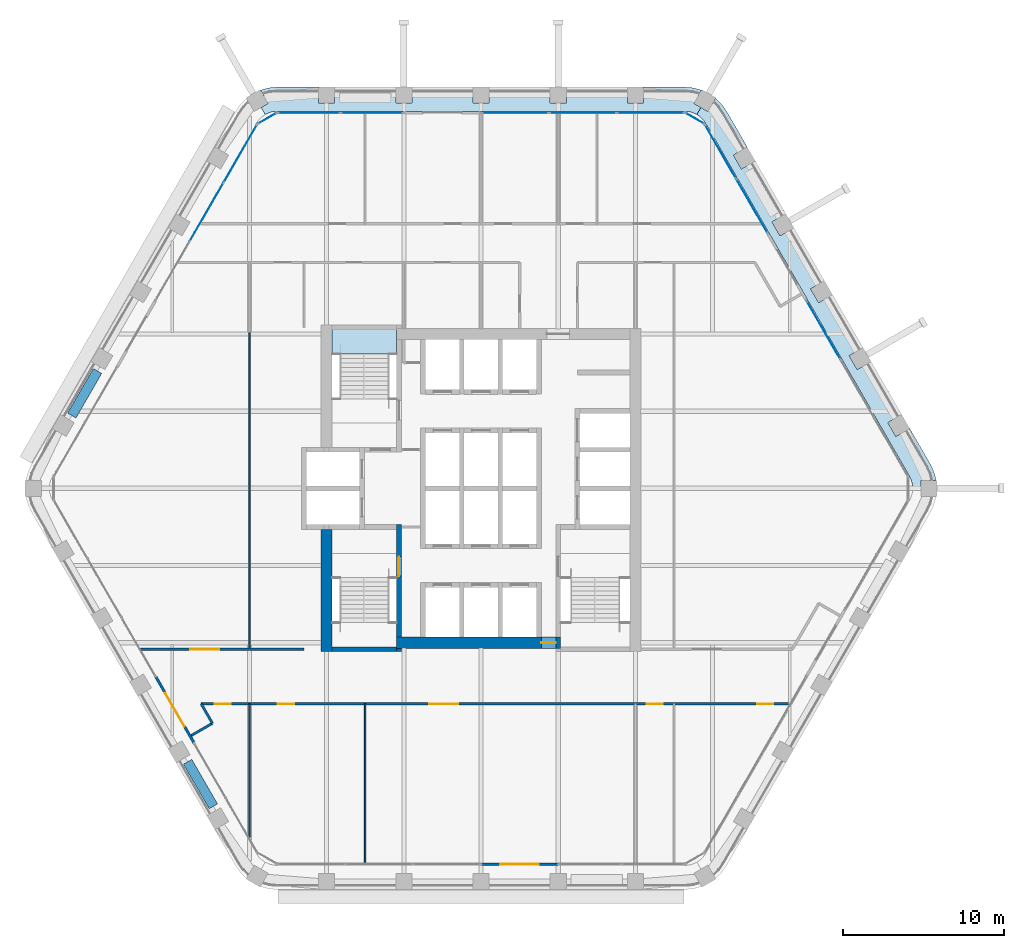
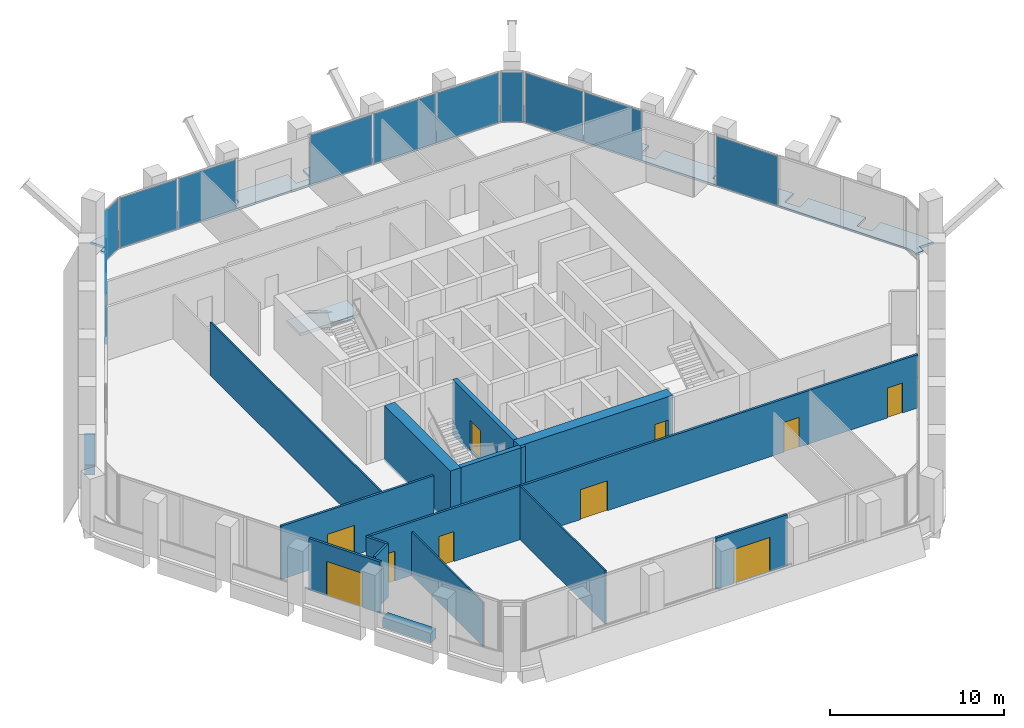
# One storey, part 9 of 16: 16 walls, 12 plates, 10 doors, 3 slabs, 10 openings, 8 elements without a shape of their own.
"""IFC4 building model written with IfcOpenShell, lengths in metres."""

from ifc_helpers import new_model, si_unit, direction, frame, frame_2d, origin, origin_2d, place, context, subcontext, project, spatial, polyline, rectangle, outline, extrude, material, layer, layer_set, type_object, element, fill, aggregate, save


model = new_model("IFC4")

# Units and contexts
model_context = context("Model", 3, precision=1e-05, world=origin(), true_north=direction((0.0, 1.0)))
body_context = subcontext(model_context, "Body", "Model", "MODEL_VIEW")
ifc_project = project(units=[si_unit("LENGTHUNIT", "METRE"), si_unit("AREAUNIT", "SQUARE_METRE"), si_unit("VOLUMEUNIT", "CUBIC_METRE"), si_unit("PLANEANGLEUNIT", "RADIAN"), si_unit("MASSUNIT", "GRAM", prefix="KILO")], contexts=[model_context])

# Site, building, storey
site_placement = place(None, origin())
site = spatial("IfcSite", under=ifc_project, at=site_placement, CompositionType="ELEMENT")
building_placement = place(site_placement, origin())
building = spatial("IfcBuilding", under=site, at=building_placement, Name="Kolab Exchange Tower", CompositionType="ELEMENT")
storey_placement = place(building_placement, frame((0.0, 0.0, 162.199951171875)))
storey = spatial("IfcBuildingStorey", under=building, at=storey_placement, Name="L33", CompositionType="ELEMENT", Elevation=162.199951171875)

# Slabs
ifc_material_1 = material(Name="Concrete C35/45", Category="concrete")
ifc_layer_1 = layer(ifc_material_1, 0.14990234375)
ifc_layer_set_1 = layer_set([ifc_layer_1], Name="Concrete C35/45")
slab_type_1 = type_object("IfcSlabType", Name="LOGGIA SLAB 150", PredefinedType="FLOOR", material=ifc_layer_set_1)
slab_1_placement = place(storey_placement, frame((0.0, 0.0, -0.14990234375)))
element("IfcSlab", 1, at=slab_1_placement, inside=storey, type_object=slab_type_1, Name="slab/L33/loggia/0-0", PredefinedType="FLOOR", context=body_context, shape_type="SweptSolid", body=[
    extrude(outline(polyline([(13.41796875, 23.240478515625), (13.66796875, 23.673583984375), (13.23486328125, 23.923583984375), (13.713134765625, 24.751708984375), (13.694091796875, 24.760498046875), (13.18896484375, 24.89599609375), (12.66796875, 24.941650390625), (10.10009765625, 24.941650390625), (10.10009765625, 23.941650390625), (9.10009765625, 23.941650390625), (9.10009765625, 24.941650390625), (5.300048828125, 24.941650390625), (5.300048828125, 23.941650390625), (4.300048828125, 23.941650390625), (4.300048828125, 24.941650390625), (0.5, 24.941650390625), (0.5, 23.941650390625), (-0.5, 23.941650390625), (-0.5, 24.941650390625), (-4.300048828125, 24.941650390625), (-4.300048828125, 23.941650390625), (-5.300048828125, 23.941650390625), (-5.300048828125, 24.941650390625), (-9.10009765625, 24.941650390625), (-9.10009765625, 23.941650390625), (-10.10009765625, 23.941650390625), (-10.10009765625, 24.941650390625), (-12.66796875, 24.941650390625), (-13.18896484375, 24.89599609375), (-13.694091796875, 24.760498046875), (-13.713134765625, 24.751708984375), (-13.23486328125, 23.923583984375), (-13.66796875, 23.673583984375), (-13.41796875, 23.240478515625), (-13.180908203125, 23.35107421875), (-12.928466796875, 23.418701171875), (-12.66796875, 23.441650390625), (12.66796875, 23.441650390625), (12.928466796875, 23.418701171875), (13.180908203125, 23.35107421875), (13.41796875, 23.240478515625)])), origin(), (0.0, 0.0, 1.0), 0.14990234375),
])
slab_2_placement = place(storey_placement, frame((0.0, 0.0, -0.14990234375)))
element("IfcSlab", 2, at=slab_2_placement, inside=storey, type_object=slab_type_1, Name="slab/L33/loggia/1-0", PredefinedType="FLOOR", context=body_context, shape_type="SweptSolid", body=[
    extrude(outline(polyline([(26.8359375, 0.0), (27.3359375, 0.0), (27.3359375, 0.5), (28.292236328125, 0.5), (28.290283203125, 0.52099609375), (28.155029296875, 1.026123046875), (27.93408203125, 1.5), (26.64990234375, 3.723876953125), (25.783935546875, 3.223876953125), (25.283935546875, 4.08984375), (26.14990234375, 4.58984375), (24.25, 7.880859375), (23.384033203125, 7.380859375), (22.884033203125, 8.246826171875), (23.75, 8.746826171875), (21.85009765625, 12.037841796875), (20.98388671875, 11.537841796875), (20.48388671875, 12.40380859375), (21.35009765625, 12.90380859375), (19.449951171875, 16.194580078125), (18.583984375, 15.694580078125), (18.083984375, 16.560791015625), (18.949951171875, 17.060791015625), (17.050048828125, 20.3515625), (16.18408203125, 19.8515625), (15.68408203125, 20.717529296875), (16.550048828125, 21.217529296875), (15.26611328125, 23.441650390625), (14.966064453125, 23.869873046875), (14.59619140625, 24.23974609375), (14.5791015625, 24.251708984375), (14.10107421875, 23.423583984375), (13.66796875, 23.673583984375), (13.41796875, 23.240478515625), (13.632080078125, 23.090576171875), (13.81689453125, 22.90576171875), (13.967041015625, 22.691650390625), (26.635009765625, 0.75), (26.745361328125, 0.512939453125), (26.81298828125, 0.260498046875), (26.8359375, 0.0)])), origin(), (0.0, 0.0, 1.0), 0.14990234375),
])

# Stair, slab
ifc_material_2 = material(Name="Concrete C50/60", Category="concrete")
stair_type = type_object("IfcStairType", Name="STAIR ST1 RISER 177.3", PredefinedType="HALF_TURN_STAIR", material=ifc_material_2)
stair_placement = place(storey_placement, origin())
stair = element("IfcStair", 3, at=stair_placement, inside=storey, type_object=stair_type, Name="Stair 1", PredefinedType="HALF_TURN_STAIR")
ifc_layer_2 = layer(ifc_material_2, 0.199951171875)
ifc_layer_set_2 = layer_set([ifc_layer_2], Name="Concrete C50/60")
slab_type_2 = type_object("IfcSlabType", Name="STAIR LANDING 200", PredefinedType="LANDING", material=ifc_layer_set_2)
slab_3_placement = place(storey_placement, frame((0.0, 0.0, 1.75)))
slab_3 = element("IfcSlab", 4, at=slab_3_placement, type_object=slab_type_2, Name="ST1 landing 2", PredefinedType="LANDING", context=body_context, shape_type="SweptSolid", body=[
    extrude(outline(polyline([(-9.25, 8.35009765625), (-5.25, 8.35009765625), (-5.25, 9.909912109375), (-9.25, 9.909912109375), (-9.25, 8.35009765625)])), origin(), (0.0, 0.0, 1.0), 0.199951171875),
])
aggregate(stair, [slab_3])

# Curtain wall, plates
ifc_material_3 = material(Name="Aluminium EN AW-6063 T6", Category="aluminium")
curtain_wall_type = type_object("IfcCurtainWallType", Name="UNITISED UPPER MID ZONE CURTAIN WALL", PredefinedType="NOTDEFINED", material=ifc_material_3)
curtain_wall_1_placement = place(storey_placement, origin())
curtain_wall_1 = element("IfcCurtainWall", 5, at=curtain_wall_1_placement, inside=storey, type_object=curtain_wall_type, Name="cw/L33/F1-1", PredefinedType="NOTDEFINED")
ifc_material_4 = material(Name="Clear insulated glazing unit", Category="glass")
ifc_layer_3 = layer(ifc_material_4, 0.028076171875)
ifc_layer_set_3 = layer_set([ifc_layer_3], Name="Clear insulated glazing unit")
plate_type = type_object("IfcPlateType", Name="UNITISED UPPER MID ZONE GLASS PANEL 28", PredefinedType="CURTAIN_PANEL", material=ifc_layer_set_3)
plate_1_placement = place(storey_placement, frame((-10.68603515625, 23.361572265625, 0.06005859375), z_axis=(0.0, 0.0, 1.0), x_axis=(1.0, 0.0, 0.0)))
plate_1 = element("IfcPlate", 6, at=plate_1_placement, type_object=plate_type, Name="CW3 panel 1.1", PredefinedType="CURTAIN_PANEL", context=body_context, shape_type="SweptSolid", body=[
    extrude(rectangle(XDim=3.843994140625, YDim=0.028076171875, at=origin_2d()), origin(), (0.0, 0.0, 1.0), 3.47998046875),
])
plate_2_placement = place(storey_placement, frame((-6.781982421875, 23.361572265625, 0.06005859375), z_axis=(0.0, 0.0, 1.0), x_axis=(1.0, 0.0, 0.0)))
plate_2 = element("IfcPlate", 7, at=plate_2_placement, type_object=plate_type, Name="CW3 panel 2.1", PredefinedType="CURTAIN_PANEL", context=body_context, shape_type="SweptSolid", body=[
    extrude(rectangle(XDim=3.843994140625, YDim=0.028076171875, at=origin_2d()), origin(), (0.0, 0.0, 1.0), 3.47998046875),
])
aggregate(curtain_wall_1, [plate_1, plate_2])

curtain_wall_2_placement = place(storey_placement, origin())
curtain_wall_2 = element("IfcCurtainWall", 8, at=curtain_wall_2_placement, inside=storey, type_object=curtain_wall_type, Name="cw/L33/F1-2", PredefinedType="NOTDEFINED")
plate_3_placement = place(storey_placement, frame((2.126220703125, 23.361572265625, 0.06005859375), z_axis=(0.0, 0.0, 1.0), x_axis=(1.0, 0.0, 0.0)))
plate_3 = element("IfcPlate", 9, at=plate_3_placement, type_object=plate_type, Name="CW3 panel 1.1", PredefinedType="CURTAIN_PANEL", context=body_context, shape_type="SweptSolid", body=[
    extrude(rectangle(XDim=4.132568359375, YDim=0.028076171875, at=origin_2d()), origin(), (0.0, 0.0, 1.0), 3.47998046875),
])
plate_4_placement = place(storey_placement, frame((6.333984375, 23.361572265625, 0.06005859375), z_axis=(0.0, 0.0, 1.0), x_axis=(1.0, 0.0, 0.0)))
plate_4 = element("IfcPlate", 10, at=plate_4_placement, type_object=plate_type, Name="CW3 panel 2.1", PredefinedType="CURTAIN_PANEL", context=body_context, shape_type="SweptSolid", body=[
    extrude(rectangle(XDim=4.16259765625, YDim=0.028076171875, at=origin_2d()), origin(), (0.0, 0.0, 1.0), 3.47998046875),
])
plate_5_placement = place(storey_placement, frame((10.54150390625, 23.361572265625, 0.06005859375), z_axis=(0.0, 0.0, 1.0), x_axis=(1.0, 0.0, 0.0)))
plate_5 = element("IfcPlate", 11, at=plate_5_placement, type_object=plate_type, Name="CW3 panel 3.1", PredefinedType="CURTAIN_PANEL", context=body_context, shape_type="SweptSolid", body=[
    extrude(rectangle(XDim=4.132568359375, YDim=0.028076171875, at=origin_2d()), origin(), (0.0, 0.0, 1.0), 3.47998046875),
])
aggregate(curtain_wall_2, [plate_3, plate_4, plate_5])

curtain_wall_3_placement = place(storey_placement, origin())
curtain_wall_3 = element("IfcCurtainWall", 12, at=curtain_wall_3_placement, inside=storey, type_object=curtain_wall_type, Name="cw/L33/F2-1", PredefinedType="NOTDEFINED")
plate_6_placement = place(storey_placement, frame((14.888671875, 20.93505859375, 0.06005859375), z_axis=(0.0, 0.0, 1.0), x_axis=(0.500000031681, -0.866025385493, 0.0)))
plate_6 = element("IfcPlate", 13, at=plate_6_placement, type_object=plate_type, Name="CW3 panel 1.1", PredefinedType="CURTAIN_PANEL", context=body_context, shape_type="SweptSolid", body=[
    extrude(rectangle(XDim=3.843994140625, YDim=0.028076171875, at=origin_2d()), origin(), (0.0, 0.0, 1.0), 3.47998046875),
])
plate_7_placement = place(storey_placement, frame((16.840576171875, 17.55419921875, 0.06005859375), z_axis=(0.0, 0.0, 1.0), x_axis=(0.500000031681, -0.866025385493, 0.0)))
plate_7 = element("IfcPlate", 14, at=plate_7_placement, type_object=plate_type, Name="CW3 panel 2.1", PredefinedType="CURTAIN_PANEL", context=body_context, shape_type="SweptSolid", body=[
    extrude(rectangle(XDim=3.843994140625, YDim=0.028076171875, at=origin_2d()), origin(), (0.0, 0.0, 1.0), 3.47998046875),
])
aggregate(curtain_wall_3, [plate_6, plate_7])

# Curtain wall, plate
curtain_wall_4_placement = place(storey_placement, origin())
curtain_wall_4 = element("IfcCurtainWall", 15, at=curtain_wall_4_placement, inside=storey, type_object=curtain_wall_type, Name="cw/L33/F2-2", PredefinedType="NOTDEFINED")
plate_8_placement = place(storey_placement, frame((21.294921875, 9.83935546875, 0.06005859375), z_axis=(0.0, 0.0, 1.0), x_axis=(0.499999958358, -0.866025427826, 0.0)))
plate_8 = element("IfcPlate", 16, at=plate_8_placement, type_object=plate_type, Name="CW3 panel 1.1", PredefinedType="CURTAIN_PANEL", context=body_context, shape_type="SweptSolid", body=[
    extrude(rectangle(XDim=4.132568359375, YDim=0.028076171875, at=origin_2d()), origin(), (0.0, 0.0, 1.0), 3.47998046875),
])
aggregate(curtain_wall_4, [plate_8])

# Curtain wall, plates
curtain_wall_5_placement = place(storey_placement, origin())
curtain_wall_5 = element("IfcCurtainWall", 17, at=curtain_wall_5_placement, inside=storey, type_object=curtain_wall_type, Name="cw/L33/F6-2", PredefinedType="NOTDEFINED")
plate_9_placement = place(storey_placement, frame((-17.064697265625, 17.166259765625, 0.06005859375), z_axis=(0.0, 0.0, 1.0), x_axis=(0.500000017564, 0.866025393644, 0.0)))
plate_9 = element("IfcPlate", 18, at=plate_9_placement, type_object=plate_type, Name="CW3 panel 2.1", PredefinedType="CURTAIN_PANEL", context=body_context, shape_type="SweptSolid", body=[
    extrude(rectangle(XDim=4.16259765625, YDim=0.028076171875, at=origin_2d()), origin(), (0.0, 0.0, 1.0), 3.47998046875),
])
plate_10_placement = place(storey_placement, frame((-14.9609375, 20.81005859375, 0.06005859375), z_axis=(0.0, 0.0, 1.0), x_axis=(0.500000017564, 0.866025393644, 0.0)))
plate_10 = element("IfcPlate", 19, at=plate_10_placement, type_object=plate_type, Name="CW3 panel 3.1", PredefinedType="CURTAIN_PANEL", context=body_context, shape_type="SweptSolid", body=[
    extrude(rectangle(XDim=4.132568359375, YDim=0.028076171875, at=origin_2d()), origin(), (0.0, 0.0, 1.0), 3.47998046875),
])
aggregate(curtain_wall_5, [plate_9, plate_10])

# Curtain wall, plate
curtain_wall_6_placement = place(storey_placement, origin())
curtain_wall_6 = element("IfcCurtainWall", 20, at=curtain_wall_6_placement, inside=storey, type_object=curtain_wall_type, Name="cw/L33/F1F2-corner", PredefinedType="NOTDEFINED")
plate_11_placement = place(storey_placement, frame((13.28271484375, 23.006591796875, 0.06005859375), z_axis=(0.0, 0.0, 1.0), x_axis=(0.866025390869, -0.50000002237, 0.0)))
plate_11 = element("IfcPlate", 21, at=plate_11_placement, type_object=plate_type, Name="CW3 panel 1.1", PredefinedType="CURTAIN_PANEL", context=body_context, shape_type="SweptSolid", body=[
    extrude(rectangle(XDim=1.300048828125, YDim=0.028076171875, at=origin_2d()), origin(), (0.0, 0.0, 1.0), 3.47998046875),
])
aggregate(curtain_wall_6, [plate_11])

curtain_wall_7_placement = place(storey_placement, origin())
curtain_wall_7 = element("IfcCurtainWall", 22, at=curtain_wall_7_placement, inside=storey, type_object=curtain_wall_type, Name="cw/L33/F6F1-corner", PredefinedType="NOTDEFINED")
plate_12_placement = place(storey_placement, frame((-13.28271484375, 23.006591796875, 0.06005859375), z_axis=(0.0, 0.0, 1.0), x_axis=(0.866025390869, 0.50000002237, 0.0)))
plate_12 = element("IfcPlate", 23, at=plate_12_placement, type_object=plate_type, Name="CW3 panel 1.1", PredefinedType="CURTAIN_PANEL", context=body_context, shape_type="SweptSolid", body=[
    extrude(rectangle(XDim=1.300048828125, YDim=0.028076171875, at=origin_2d()), origin(), (0.0, 0.0, 1.0), 3.47998046875),
])
aggregate(curtain_wall_7, [plate_12])

# Wall, opening, door
ifc_material_5 = material(Name="Concrete C60/75", Category="concrete")
ifc_layer_4 = layer(ifc_material_5, 0.699951171875)
ifc_layer_set_4 = layer_set([ifc_layer_4], Name="Concrete C60/75")
wall_type_1 = type_object("IfcWallType", Name="CORE WALL 700 C60/75", PredefinedType="SHEAR", material=ifc_layer_set_4)
wall_1_placement = place(storey_placement, frame((-5.25, -9.60009765625, -0.14990234375), z_axis=(0.0, 0.0, 1.0), x_axis=(1.0, 0.0, 0.0)))
wall_1 = element("IfcWall", 24, at=wall_1_placement, inside=storey, type_object=wall_type_1, Name="wall/L33/core/002", PredefinedType="SHEAR", context=body_context, shape_type="SweptSolid", body=[
    extrude(rectangle(XDim=10.199951171875, YDim=0.699951171875, at=frame_2d((5.10009765625, 0.0))), origin(), (0.0, 0.0, 1.0), 3.89990234375),
])
opening_1_placement = place(wall_1_placement, frame((9.0, 0.0, 0.14990234375)))
opening_1 = element("IfcOpeningElement", 25, at=opening_1_placement, cuts=wall_1, Name="Opening D6-287", PredefinedType="OPENING", context=body_context, shape_type="SweptSolid", body=[
    extrude(rectangle(XDim=0.89990234375, YDim=2.10009765625, at=frame_2d((0.449951171875, 1.050048828125))), frame((0.0, 0.35986328125, 0.0), z_axis=(0.0, -1.0, 0.0), x_axis=(1.0, 0.0, 0.0)), (0.0, 0.0, 1.0), 0.719970703125),
])
ifc_material_6 = material(Name="Steel S235", Category="steel")
door_type_1 = type_object("IfcDoorType", Name="CORE DOOR 900 EI 120", OperationType="SINGLE_SWING_LEFT", PredefinedType="DOOR", material=ifc_material_6)
door_1_placement = place(opening_1_placement, origin())
door_1 = element("IfcDoor", 26, at=door_1_placement, inside=storey, type_object=door_type_1, Name="Core lobby door", OperationType="SINGLE_SWING_LEFT", OverallHeight=2.10009765625, OverallWidth=0.89990234375, PredefinedType="DOOR", context=body_context, shape_type="SweptSolid", body=[
    extrude(rectangle(XDim=0.89990234375, YDim=2.10009765625, at=frame_2d((0.449951171875, 1.050048828125))), frame((0.0, 0.02490234375, 0.0), z_axis=(0.0, -1.0, 0.0), x_axis=(1.0, 0.0, 0.0)), (0.0, 0.0, 1.0), 0.050048828125),
])
fill(opening_1, door_1)

# Wall
wall_2_placement = place(storey_placement, frame((-9.60009765625, -10.14990234375, -0.14990234375), z_axis=(0.0, 0.0, 1.0), x_axis=(0.0, 1.0, 0.0)))
element("IfcWall", 27, at=wall_2_placement, inside=storey, type_object=wall_type_1, Name="wall/L33/core/034", PredefinedType="SHEAR", context=body_context, shape_type="SweptSolid", body=[
    extrude(rectangle(XDim=7.599853515625, YDim=0.699951171875, at=frame_2d((3.7998046875, 0.0))), origin(), (0.0, 0.0, 1.0), 3.89990234375),
])

# Wall, opening, door
ifc_layer_5 = layer(ifc_material_3, 0.159912109375)
ifc_layer_set_5 = layer_set([ifc_layer_5], Name="Aluminium EN AW-6063 T6")
wall_type_2 = type_object("IfcWallType", Name="DOOR SURROUND WALL 160 ALUMINIUM FRAMED", PredefinedType="PARTITIONING", material=ifc_layer_set_5)
wall_3_placement = place(storey_placement, frame((4.77001953125, -23.361572265625, 0.0), z_axis=(0.0, 0.0, 1.0), x_axis=(-1.0, 0.0, 0.0)))
wall_3 = element("IfcWall", 28, at=wall_3_placement, inside=storey, type_object=wall_type_2, Name="Door surround wall", PredefinedType="PARTITIONING", context=body_context, shape_type="SweptSolid", body=[
    extrude(rectangle(XDim=4.739990234375, YDim=0.159912109375, at=frame_2d((2.3701171875, 0.0))), origin(), (0.0, 0.0, 1.0), 3.60009765625),
])
opening_2_placement = place(wall_3_placement, frame((1.169921875, 0.0, 0.0)))
opening_2 = element("IfcOpeningElement", 29, at=opening_2_placement, cuts=wall_3, Name="Opening GD1-073", PredefinedType="OPENING", context=body_context, shape_type="SweptSolid", body=[
    extrude(rectangle(XDim=2.39990234375, YDim=2.39990234375, at=frame_2d((1.199951171875, 1.199951171875))), frame((0.0, 0.08984375, 0.0), z_axis=(0.0, -1.0, 0.0), x_axis=(1.0, 0.0, 0.0)), (0.0, 0.0, 1.0), 0.179931640625),
])
door_type_2 = type_object("IfcDoorType", Name="LOGGIA SLIDING GLASS DOOR 2400 X 2400", OperationType="DOUBLE_DOOR_SINGLE_SWING", PredefinedType="DOOR", material=ifc_material_3)
door_2_placement = place(opening_2_placement, origin())
door_2 = element("IfcDoor", 30, at=door_2_placement, inside=storey, type_object=door_type_2, Name="Loggia door", OperationType="DOUBLE_DOOR_SLIDING", OverallHeight=2.39990234375, OverallWidth=2.39990234375, PredefinedType="DOOR", context=body_context, shape_type="SweptSolid", body=[
    extrude(rectangle(XDim=2.39990234375, YDim=2.39990234375, at=frame_2d((1.199951171875, 1.199951171875))), frame((0.0, 0.02490234375, 0.0), z_axis=(0.0, -1.0, 0.0), x_axis=(1.0, 0.0, 0.0)), (0.0, 0.0, 1.0), 0.050048828125),
])
fill(opening_2, door_2)

wall_4_placement = place(storey_placement, frame((-17.8466796875, -15.811767578125, 0.0), z_axis=(0.0, 0.0, 1.0), x_axis=(-0.5000167099, 0.866015756104, 0.0)))
wall_4 = element("IfcWall", 31, at=wall_4_placement, inside=storey, type_object=wall_type_2, Name="Door surround wall", PredefinedType="PARTITIONING", context=body_context, shape_type="SweptSolid", body=[
    extrude(rectangle(XDim=4.739990234375, YDim=0.159912109375, at=frame_2d((2.3701171875, 0.0))), origin(), (0.0, 0.0, 1.0), 3.60009765625),
])
opening_3_placement = place(wall_4_placement, frame((1.169921875, 0.0, 0.0)))
opening_3 = element("IfcOpeningElement", 32, at=opening_3_placement, cuts=wall_4, Name="Opening GD1-074", PredefinedType="OPENING", context=body_context, shape_type="SweptSolid", body=[
    extrude(rectangle(XDim=2.39990234375, YDim=2.39990234375, at=frame_2d((1.199951171875, 1.199951171875))), frame((0.0, 0.08984375, 0.0), z_axis=(0.0, -1.0, 0.0), x_axis=(1.0, 0.0, 0.0)), (0.0, 0.0, 1.0), 0.179931640625),
])
door_3_placement = place(opening_3_placement, origin())
door_3 = element("IfcDoor", 33, at=door_3_placement, inside=storey, type_object=door_type_2, Name="Loggia door", OperationType="DOUBLE_DOOR_SLIDING", OverallHeight=2.39990234375, OverallWidth=2.39990234375, PredefinedType="DOOR", context=body_context, shape_type="SweptSolid", body=[
    extrude(rectangle(XDim=2.39990234375, YDim=2.39990234375, at=frame_2d((1.199951171875, 1.199951171875))), frame((0.0, 0.02490234375, 0.0), z_axis=(0.0, -1.0, 0.0), x_axis=(1.0, 0.0, 0.0)), (0.0, 0.0, 1.0), 0.050048828125),
])
fill(opening_3, door_3)

# Walls
ifc_material_7 = material(Name="Gypsum board", Category="gypsum")
ifc_layer_6 = layer(ifc_material_7, 0.10009765625)
ifc_layer_set_6 = layer_set([ifc_layer_6], Name="Gypsum board")
wall_type_3 = type_object("IfcWallType", Name="PARTITION 100", PredefinedType="PARTITIONING", material=ifc_layer_set_6)
wall_5_placement = place(storey_placement, frame((-7.199951171875, -23.271484375, 0.0), z_axis=(0.0, 0.0, 1.0), x_axis=(0.0, 1.0, 0.0)))
element("IfcWall", 34, at=wall_5_placement, inside=storey, type_object=wall_type_3, Name="Partition 012", PredefinedType="PARTITIONING", context=body_context, shape_type="SweptSolid", body=[
    extrude(rectangle(XDim=9.87158203125, YDim=0.10009765625, at=frame_2d((4.935791015625, 0.0))), origin(), (0.0, 0.0, 1.0), 3.75),
])
wall_6_placement = place(storey_placement, frame((-14.39990234375, -21.701416015625, 0.0), z_axis=(0.0, 0.0, 1.0), x_axis=(0.0, 1.0, 0.0)))
element("IfcWall", 35, at=wall_6_placement, inside=storey, type_object=wall_type_3, Name="Partition 015", PredefinedType="PARTITIONING", context=body_context, shape_type="SweptSolid", body=[
    extrude(rectangle(XDim=8.301513671875, YDim=0.10009765625, at=frame_2d((4.15087890625, 0.0))), origin(), (0.0, 0.0, 1.0), 3.066162109375),
])
wall_7_placement = place(storey_placement, frame((-14.39990234375, -10.0, 0.0), z_axis=(0.0, 0.0, 1.0), x_axis=(0.0, 1.0, 0.0)))
element("IfcWall", 36, at=wall_7_placement, inside=storey, type_object=wall_type_3, Name="Partition 016", PredefinedType="PARTITIONING", context=body_context, shape_type="SweptSolid", body=[
    extrude(rectangle(XDim=19.693603515625, YDim=0.10009765625, at=frame_2d((9.8466796875, 0.0))), origin(), (0.0, 0.0, 1.0), 3.75),
])
ifc_layer_7 = layer(ifc_material_7, 0.14990234375)
ifc_layer_set_7 = layer_set([ifc_layer_7], Name="Gypsum board")
wall_type_4 = type_object("IfcWallType", Name="PARTITION 150 FIRE-RATED", PredefinedType="PARTITIONING", material=ifc_layer_set_7)
wall_8_placement = place(storey_placement, frame((-17.3916015625, -13.39990234375, 0.0), z_axis=(0.0, 0.0, 1.0), x_axis=(0.4999705729, -0.866042392862, 0.0)))
element("IfcWall", 37, at=wall_8_placement, inside=storey, type_object=wall_type_4, Name="Partition 017", PredefinedType="PARTITIONING", context=body_context, shape_type="SweptSolid", body=[
    extrude(rectangle(XDim=1.39111328125, YDim=0.14990234375, at=frame_2d((0.695556640625, 0.0))), origin(), (0.0, 0.0, 1.0), 3.75),
])
wall_9_placement = place(storey_placement, frame((-18.012451171875, -15.36474609375, 0.0), z_axis=(0.0, 0.0, 1.0), x_axis=(0.866030456496, 0.499991248344, 0.0)))
element("IfcWall", 38, at=wall_9_placement, inside=storey, type_object=wall_type_4, Name="Partition 021", PredefinedType="PARTITIONING", context=body_context, shape_type="SweptSolid", body=[
    extrude(rectangle(XDim=1.52001953125, YDim=0.14990234375, at=frame_2d((0.760009765625, 0.0))), origin(), (0.0, 0.0, 1.0), 3.75),
])

# Wall, openings, doors
wall_10_placement = place(storey_placement, frame((-17.3916015625, -13.39990234375, 0.0), z_axis=(0.0, 0.0, 1.0), x_axis=(1.0, 0.0, 0.0)))
wall_10 = element("IfcWall", 39, at=wall_10_placement, inside=storey, type_object=wall_type_4, Name="Partition 023", PredefinedType="PARTITIONING", context=body_context, shape_type="SweptSolid", body=[
    extrude(rectangle(XDim=36.58447265625, YDim=0.14990234375, at=frame_2d((18.292236328125, 0.0))), origin(), (0.0, 0.0, 1.0), 3.75),
])
opening_4_placement = place(wall_10_placement, frame((0.83203125, 0.0, 0.0)))
opening_4 = element("IfcOpeningElement", 40, at=opening_4_placement, cuts=wall_10, Name="Opening D1-453", PredefinedType="OPENING", context=body_context, shape_type="SweptSolid", body=[
    extrude(rectangle(XDim=1.0, YDim=2.10009765625, at=frame_2d((0.5, 1.050048828125))), frame((0.0, 0.0849609375, 0.0), z_axis=(0.0, -1.0, 0.0), x_axis=(1.0, 0.0, 0.0)), (0.0, 0.0, 1.0), 0.169921875),
])
opening_5_placement = place(wall_10_placement, frame((4.7666015625, 0.0, 0.0)))
opening_5 = element("IfcOpeningElement", 41, at=opening_5_placement, cuts=wall_10, Name="Opening D1-454", PredefinedType="OPENING", context=body_context, shape_type="SweptSolid", body=[
    extrude(rectangle(XDim=1.0, YDim=2.10009765625, at=frame_2d((0.5, 1.050048828125))), frame((0.0, 0.0849609375, 0.0), z_axis=(0.0, -1.0, 0.0), x_axis=(1.0, 0.0, 0.0)), (0.0, 0.0, 1.0), 0.169921875),
])
opening_6_placement = place(wall_10_placement, frame((14.16650390625, 0.0, 0.0)))
opening_6 = element("IfcOpeningElement", 42, at=opening_6_placement, cuts=wall_10, Name="Opening D2-045", PredefinedType="OPENING", context=body_context, shape_type="SweptSolid", body=[
    extrude(rectangle(XDim=1.800048828125, YDim=2.10009765625, at=frame_2d((0.89990234375, 1.050048828125))), frame((0.0, 0.0849609375, 0.0), z_axis=(0.0, -1.0, 0.0), x_axis=(1.0, 0.0, 0.0)), (0.0, 0.0, 1.0), 0.169921875),
])
opening_7_placement = place(wall_10_placement, frame((27.691650390625, 0.0, 0.0)))
opening_7 = element("IfcOpeningElement", 43, at=opening_7_placement, cuts=wall_10, Name="Opening D1-455", PredefinedType="OPENING", context=body_context, shape_type="SweptSolid", body=[
    extrude(rectangle(XDim=1.0, YDim=2.10009765625, at=frame_2d((0.5, 1.050048828125))), frame((0.0, 0.0849609375, 0.0), z_axis=(0.0, -1.0, 0.0), x_axis=(1.0, 0.0, 0.0)), (0.0, 0.0, 1.0), 0.169921875),
])
opening_8_placement = place(wall_10_placement, frame((34.563232421875, 0.0, 0.0)))
opening_8 = element("IfcOpeningElement", 44, at=opening_8_placement, cuts=wall_10, Name="Opening D1-456", PredefinedType="OPENING", context=body_context, shape_type="SweptSolid", body=[
    extrude(rectangle(XDim=1.0, YDim=2.10009765625, at=frame_2d((0.5, 1.050048828125))), frame((0.0, 0.0849609375, 0.0), z_axis=(0.0, -1.0, 0.0), x_axis=(1.0, 0.0, 0.0)), (0.0, 0.0, 1.0), 0.169921875),
])
door_type_3 = type_object("IfcDoorType", Name="DOUBLE DOOR 1800 FD60", OperationType="DOUBLE_DOOR_SINGLE_SWING", PredefinedType="DOOR", material=ifc_material_6)
door_4_placement = place(opening_6_placement, frame((1.800048828125, 0.0, 0.0), z_axis=(0.0, 0.0, 1.0), x_axis=(-1.0, 0.0, 0.0)))
door_4 = element("IfcDoor", 45, at=door_4_placement, inside=storey, type_object=door_type_3, Name="Door L33-040", OperationType="SINGLE_SWING_LEFT", OverallHeight=2.10009765625, OverallWidth=1.800048828125, PredefinedType="DOOR", context=body_context, shape_type="SweptSolid", body=[
    extrude(rectangle(XDim=1.800048828125, YDim=2.10009765625, at=frame_2d((0.89990234375, 1.050048828125))), frame((0.0, 0.02490234375, 0.0), z_axis=(0.0, -1.0, 0.0), x_axis=(1.0, 0.0, 0.0)), (0.0, 0.0, 1.0), 0.050048828125),
])
fill(opening_6, door_4)
door_type_4 = type_object("IfcDoorType", Name="FLUSH DOOR 1000 FD60", OperationType="SINGLE_SWING_LEFT", PredefinedType="DOOR", material=ifc_material_6)
door_5_placement = place(opening_4_placement, frame((1.0, 0.0, 0.0), z_axis=(0.0, 0.0, 1.0), x_axis=(-1.0, 0.0, 0.0)))
door_5 = element("IfcDoor", 46, at=door_5_placement, inside=storey, type_object=door_type_4, Name="Door L33-038", OperationType="SINGLE_SWING_LEFT", OverallHeight=2.10009765625, OverallWidth=1.0, PredefinedType="DOOR", context=body_context, shape_type="SweptSolid", body=[
    extrude(rectangle(XDim=1.0, YDim=2.10009765625, at=frame_2d((0.5, 1.050048828125))), frame((0.0, 0.02490234375, 0.0), z_axis=(0.0, -1.0, 0.0), x_axis=(1.0, 0.0, 0.0)), (0.0, 0.0, 1.0), 0.050048828125),
])
fill(opening_4, door_5)
door_6_placement = place(opening_5_placement, frame((1.0, 0.0, 0.0), z_axis=(0.0, 0.0, 1.0), x_axis=(-1.0, 0.0, 0.0)))
door_6 = element("IfcDoor", 47, at=door_6_placement, inside=storey, type_object=door_type_4, Name="Door L33-039", OperationType="SINGLE_SWING_LEFT", OverallHeight=2.10009765625, OverallWidth=1.0, PredefinedType="DOOR", context=body_context, shape_type="SweptSolid", body=[
    extrude(rectangle(XDim=1.0, YDim=2.10009765625, at=frame_2d((0.5, 1.050048828125))), frame((0.0, 0.02490234375, 0.0), z_axis=(0.0, -1.0, 0.0), x_axis=(1.0, 0.0, 0.0)), (0.0, 0.0, 1.0), 0.050048828125),
])
fill(opening_5, door_6)
door_7_placement = place(opening_7_placement, frame((1.0, 0.0, 0.0), z_axis=(0.0, 0.0, 1.0), x_axis=(-1.0, 0.0, 0.0)))
door_7 = element("IfcDoor", 48, at=door_7_placement, inside=storey, type_object=door_type_4, Name="Door L33-041", OperationType="SINGLE_SWING_RIGHT", OverallHeight=2.10009765625, OverallWidth=1.0, PredefinedType="DOOR", context=body_context, shape_type="SweptSolid", body=[
    extrude(rectangle(XDim=1.0, YDim=2.10009765625, at=frame_2d((0.5, 1.050048828125))), frame((0.0, 0.02490234375, 0.0), z_axis=(0.0, -1.0, 0.0), x_axis=(1.0, 0.0, 0.0)), (0.0, 0.0, 1.0), 0.050048828125),
])
fill(opening_7, door_7)
door_8_placement = place(opening_8_placement, frame((1.0, 0.0, 0.0), z_axis=(0.0, 0.0, 1.0), x_axis=(-1.0, 0.0, 0.0)))
door_8 = element("IfcDoor", 49, at=door_8_placement, inside=storey, type_object=door_type_4, Name="Door L33-042", OperationType="SINGLE_SWING_RIGHT", OverallHeight=2.10009765625, OverallWidth=1.0, PredefinedType="DOOR", context=body_context, shape_type="SweptSolid", body=[
    extrude(rectangle(XDim=1.0, YDim=2.10009765625, at=frame_2d((0.5, 1.050048828125))), frame((0.0, 0.02490234375, 0.0), z_axis=(0.0, -1.0, 0.0), x_axis=(1.0, 0.0, 0.0)), (0.0, 0.0, 1.0), 0.050048828125),
])
fill(opening_8, door_8)

# Wall, opening, door
wall_11_placement = place(storey_placement, frame((-21.156005859375, -10.0, 0.0), z_axis=(0.0, 0.0, 1.0), x_axis=(1.0, 0.0, 0.0)))
wall_11 = element("IfcWall", 50, at=wall_11_placement, inside=storey, type_object=wall_type_4, Name="Partition 024", PredefinedType="PARTITIONING", context=body_context, shape_type="SweptSolid", body=[
    extrude(rectangle(XDim=10.156005859375, YDim=0.14990234375, at=frame_2d((5.078125, 0.0))), origin(), (0.0, 0.0, 1.0), 3.75),
])
opening_9_placement = place(wall_11_placement, frame((3.082763671875, 0.0, 0.0)))
opening_9 = element("IfcOpeningElement", 51, at=opening_9_placement, cuts=wall_11, Name="Opening D2-047", PredefinedType="OPENING", context=body_context, shape_type="SweptSolid", body=[
    extrude(rectangle(XDim=1.800048828125, YDim=2.10009765625, at=frame_2d((0.89990234375, 1.050048828125))), frame((0.0, 0.0849609375, 0.0), z_axis=(0.0, -1.0, 0.0), x_axis=(1.0, 0.0, 0.0)), (0.0, 0.0, 1.0), 0.169921875),
])
door_9_placement = place(opening_9_placement, origin())
door_9 = element("IfcDoor", 52, at=door_9_placement, inside=storey, type_object=door_type_3, Name="Door L33-045", OperationType="SINGLE_SWING_RIGHT", OverallHeight=2.10009765625, OverallWidth=1.800048828125, PredefinedType="DOOR", context=body_context, shape_type="SweptSolid", body=[
    extrude(rectangle(XDim=1.800048828125, YDim=2.10009765625, at=frame_2d((0.89990234375, 1.050048828125))), frame((0.0, 0.02490234375, 0.0), z_axis=(0.0, -1.0, 0.0), x_axis=(1.0, 0.0, 0.0)), (0.0, 0.0, 1.0), 0.050048828125),
])
fill(opening_9, door_9)

# Walls
ifc_material_8 = material(Name="Granite facing", Category="masonry")
ifc_layer_8 = layer(ifc_material_8, 0.0400390625)
ifc_material_9 = material(Name="Concrete C40/50 precast", Category="concrete")
ifc_layer_9 = layer(ifc_material_9, 0.56005859375)
ifc_layer_set_8 = layer_set([ifc_layer_8, ifc_layer_9], Name="Concrete C40/50 precast")
wall_type_5 = type_object("IfcWallType", Name="PLANTER BOX 600 X 700 SOIL DEPTH 550", PredefinedType="USERDEFINED", material=ifc_layer_set_8)
wall_12_placement = place(storey_placement, frame((-16.636962890625, -19.766845703125, 0.0), z_axis=(0.0, 0.0, 1.0), x_axis=(-0.500028443584, 0.866008981251, 0.0)))
element("IfcWall", 53, at=wall_12_placement, inside=storey, type_object=wall_type_5, Name="Planter", ObjectType="PLANTER", PredefinedType="USERDEFINED", context=body_context, shape_type="SweptSolid", body=[
    extrude(rectangle(XDim=3.199951171875, YDim=0.60009765625, at=frame_2d((1.60009765625, 0.0))), origin(), (0.0, 0.0, 1.0), 0.699951171875),
])
wall_13_placement = place(storey_placement, frame((-25.43701171875, 4.524658203125, 0.0), z_axis=(0.0, 0.0, 1.0), x_axis=(0.499938187974, 0.866061088033, 0.0)))
element("IfcWall", 54, at=wall_13_placement, inside=storey, type_object=wall_type_5, Name="Planter", ObjectType="PLANTER", PredefinedType="USERDEFINED", context=body_context, shape_type="SweptSolid", body=[
    extrude(rectangle(XDim=3.2001953125, YDim=0.60009765625, at=frame_2d((1.60009765625, 0.0))), origin(), (0.0, 0.0, 1.0), 0.699951171875),
])
ifc_layer_10 = layer(ifc_material_2, 0.300048828125)
ifc_layer_set_9 = layer_set([ifc_layer_10], Name="Concrete C50/60")
wall_type_6 = type_object("IfcWallType", Name="STAIR ENCLOSURE WALL 300 C50/60", PredefinedType="STANDARD", material=ifc_layer_set_9)
wall_14_placement = place(storey_placement, frame((-9.25, -10.0, -0.14990234375), z_axis=(0.0, 0.0, 1.0), x_axis=(1.0, 0.0, 0.0)))
element("IfcWall", 55, at=wall_14_placement, inside=storey, type_object=wall_type_6, Name="wall/L33/core/000", PredefinedType="STANDARD", context=body_context, shape_type="SweptSolid", body=[
    extrude(rectangle(XDim=4.0, YDim=0.300048828125, at=frame_2d((2.0, 0.0))), origin(), (0.0, 0.0, 1.0), 3.89990234375),
])
wall_15_placement = place(storey_placement, frame((-5.10009765625, -10.14990234375, -0.14990234375), z_axis=(0.0, 0.0, 1.0), x_axis=(0.0, 1.0, 0.0)))
element("IfcWall", 56, at=wall_15_placement, inside=storey, type_object=wall_type_6, Name="wall/L33/core/039", PredefinedType="STANDARD", context=body_context, shape_type="SweptSolid", body=[
    extrude(rectangle(XDim=0.199951171875, YDim=0.300048828125, at=frame_2d((0.10009765625, 0.0))), origin(), (0.0, 0.0, 1.0), 3.89990234375),
])

# Wall, opening, door
wall_16_placement = place(storey_placement, frame((-5.10009765625, -9.25, -0.14990234375), z_axis=(0.0, 0.0, 1.0), x_axis=(0.0, 1.0, 0.0)))
wall_16 = element("IfcWall", 57, at=wall_16_placement, inside=storey, type_object=wall_type_6, Name="wall/L33/core/040", PredefinedType="STANDARD", context=body_context, shape_type="SweptSolid", body=[
    extrude(rectangle(XDim=7.0, YDim=0.300048828125, at=frame_2d((3.5, 0.0))), origin(), (0.0, 0.0, 1.0), 3.89990234375),
])
opening_10_placement = place(wall_16_placement, frame((3.800048828125, 0.0, 0.14990234375)))
opening_10 = element("IfcOpeningElement", 58, at=opening_10_placement, cuts=wall_16, Name="Opening D4-068", PredefinedType="OPENING", context=body_context, shape_type="SweptSolid", body=[
    extrude(rectangle(XDim=1.199951171875, YDim=2.10009765625, at=frame_2d((0.60009765625, 1.050048828125))), frame((0.0, 0.16015625, 0.0), z_axis=(0.0, -1.0, 0.0), x_axis=(1.0, 0.0, 0.0)), (0.0, 0.0, 1.0), 0.320068359375),
])
door_type_5 = type_object("IfcDoorType", Name="STAIR DOOR 1200 EI 120", OperationType="SINGLE_SWING_LEFT", PredefinedType="DOOR", material=ifc_material_6)
door_10_placement = place(opening_10_placement, origin())
door_10 = element("IfcDoor", 59, at=door_10_placement, inside=storey, type_object=door_type_5, Name="Stair 3 door", OperationType="SINGLE_SWING_RIGHT", OverallHeight=2.10009765625, OverallWidth=1.199951171875, PredefinedType="DOOR", context=body_context, shape_type="SweptSolid", body=[
    extrude(rectangle(XDim=1.199951171875, YDim=2.10009765625, at=frame_2d((0.60009765625, 1.050048828125))), frame((0.0, 0.02490234375, 0.0), z_axis=(0.0, -1.0, 0.0), x_axis=(1.0, 0.0, 0.0)), (0.0, 0.0, 1.0), 0.050048828125),
])
fill(opening_10, door_10)

save(model, "model.ifc")
